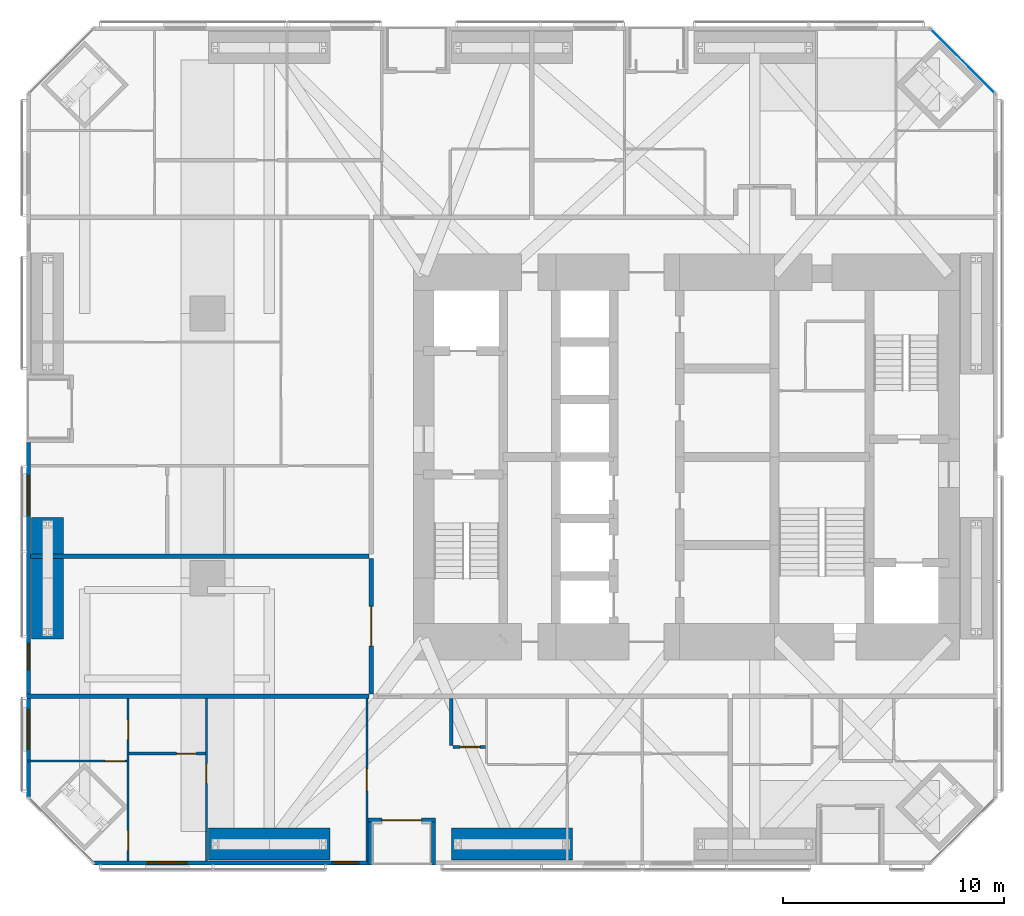
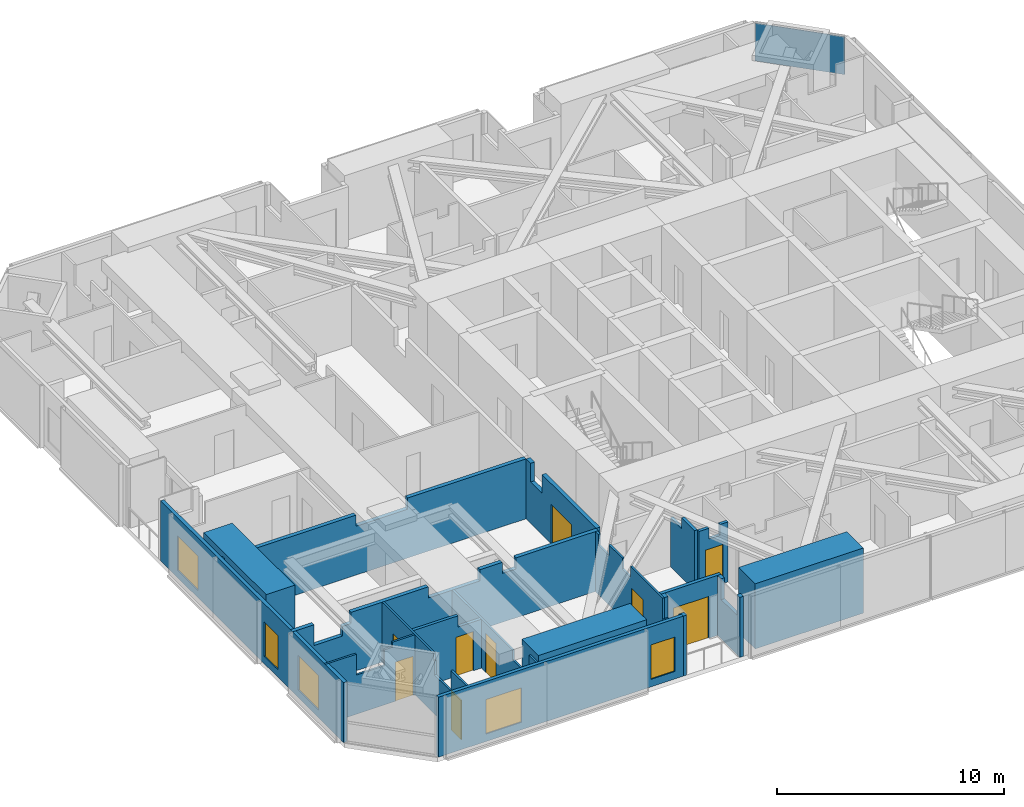
# One storey, part 15 of 22: 19 walls, 9 doors, 5 windows, 1 plate, 14 openings, 1 element without a shape of its own.
"""IFC4 building model written with IfcOpenShell, lengths in metres."""

from ifc_helpers import new_model, si_unit, direction, frame, frame_2d, origin, origin_2d, place, context, subcontext, project, spatial, polyline, rectangle, outline, extrude, material, layer, layer_set, constituent, constituent_set, type_object, element, fill, aggregate, save


model = new_model("IFC4")

# Units and contexts
model_context = context("Model", 3, precision=1e-05, world=origin(), true_north=direction((0.0, 1.0)))
body_context = subcontext(model_context, "Body", "Model", "MODEL_VIEW")
ifc_project = project(units=[si_unit("LENGTHUNIT", "METRE"), si_unit("AREAUNIT", "SQUARE_METRE"), si_unit("VOLUMEUNIT", "CUBIC_METRE"), si_unit("PLANEANGLEUNIT", "RADIAN"), si_unit("MASSUNIT", "GRAM", prefix="KILO")], contexts=[model_context])

# Site, building, storey
site_placement = place(None, origin())
site = spatial("IfcSite", under=ifc_project, at=site_placement, CompositionType="ELEMENT")
building_placement = place(site_placement, origin())
building = spatial("IfcBuilding", under=site, at=building_placement, Name="Jalousie Tower", CompositionType="ELEMENT")
storey_placement = place(building_placement, frame((0.0, 0.0, 71.25)))
storey = spatial("IfcBuildingStorey", under=building, at=storey_placement, Name="L19", CompositionType="ELEMENT", Elevation=71.25)

# Curtain wall, plate
ifc_material_1 = material(Name="Aluminium curtain wall", Category="aluminium")
curtain_wall_type = type_object("IfcCurtainWallType", Name="CORNER WINDOW WALL", PredefinedType="USERDEFINED", material=ifc_material_1)
curtain_wall_placement = place(storey_placement, origin())
curtain_wall = element("IfcCurtainWall", 1, at=curtain_wall_placement, inside=storey, type_object=curtain_wall_type, Name="Corner Window Wall L19 4", ObjectType="CORNER WINDOW WALL", PredefinedType="USERDEFINED")
ifc_material_2 = material(Name="Laminated impact-rated spandrel glass", Category="glass")
ifc_layer_1 = layer(ifc_material_2, 0.028076171875)
ifc_layer_set_1 = layer_set([ifc_layer_1], Name="Laminated impact-rated spandrel glass")
plate_type = type_object("IfcPlateType", Name="CORNER WINDOW WALL PANEL", PredefinedType="CURTAIN_PANEL", material=ifc_layer_set_1)
plate_placement = place(storey_placement, frame((44.4306640625, 36.4306640625, 1.1298828125), z_axis=(0.0, 0.0, 1.0), x_axis=(-0.707106781187, 0.707106781187, 0.0)))
plate = element("IfcPlate", 2, at=plate_placement, type_object=plate_type, Name="CW-C panel 1.2", PredefinedType="CURTAIN_PANEL", context=body_context, shape_type="SweptSolid", body=[
    extrude(rectangle(XDim=4.071533203125, YDim=0.028076171875, at=origin_2d()), origin(), (0.0, 0.0, 1.0), 2.030029296875),
])
aggregate(curtain_wall, [plate])

# Wall, opening, door
ifc_material_3 = material(Name="Concrete block ASTM C90", Category="concrete")
ifc_constituent_1 = constituent(ifc_material_3, Name="Body")
ifc_material_4 = material(Name="Render")
ifc_constituent_2 = constituent(ifc_material_4, Name="Finish")
ifc_constituent_set_1 = constituent_set(constituents=[ifc_constituent_1, ifc_constituent_2])
wall_type_1 = type_object("IfcWallType", Name="BATHROOM WALL 150", PredefinedType="PLUMBINGWALL", material=ifc_constituent_set_1)
wall_1_placement = place(storey_placement, frame((6.64990234375, 5.050048828125, 0.0), z_axis=(0.0, 0.0, 1.0), x_axis=(1.0, 0.0, 0.0)))
wall_1 = element("IfcWall", 3, at=wall_1_placement, inside=storey, type_object=wall_type_1, Name="Bathroom Wall 150 L19", PredefinedType="PLUMBINGWALL", context=body_context, shape_type="SweptSolid", body=[
    extrude(outline(polyline([(0.0, 0.0), (3.4501953125, 0.0), (3.449951171875, 3.219970703125), (3.449951171875, 2.6201171875), (2.264892578125, 2.6201171875), (2.264892578125, 3.219970703125), (0.0, 3.219970703125), (0.0, 0.0)])), frame((0.0, 0.074951171875, 0.0), z_axis=(0.0, -1.0, 0.0), x_axis=(1.0, 0.0, 0.0)), (0.0, 0.0, 1.0), 0.14990234375),
])
opening_1_placement = place(wall_1_placement, frame((2.14990234375, 0.0, 0.0)))
opening_1 = element("IfcOpeningElement", 4, at=opening_1_placement, cuts=wall_1, Name="Opening D3", PredefinedType="OPENING", context=body_context, shape_type="SweptSolid", body=[
    extrude(rectangle(XDim=0.89990234375, YDim=2.10009765625, at=frame_2d((0.449951171875, 1.050048828125))), frame((0.0, 0.0849609375, 0.0), z_axis=(0.0, -1.0, 0.0), x_axis=(1.0, 0.0, 0.0)), (0.0, 0.0, 1.0), 0.169921875),
])
ifc_material_5 = material(Name="Timber door", Category="wood")
door_type_1 = type_object("IfcDoorType", Name="BATHROOM DOOR 900", OperationType="SINGLE_SWING_LEFT", PredefinedType="DOOR", material=ifc_material_5)
door_1_placement = place(opening_1_placement, origin())
door_1 = element("IfcDoor", 5, at=door_1_placement, inside=storey, type_object=door_type_1, Name="Apartment 1901 bedroom 2 bathroom door", OperationType="SINGLE_SWING_RIGHT", OverallHeight=2.10009765625, OverallWidth=0.89990234375, PredefinedType="DOOR", context=body_context, shape_type="SweptSolid", body=[
    extrude(rectangle(XDim=0.89990234375, YDim=2.10009765625, at=frame_2d((0.449951171875, 1.050048828125))), frame((0.0, 0.02490234375, 0.0), z_axis=(0.0, -1.0, 0.0), x_axis=(1.0, 0.0, 0.0)), (0.0, 0.0, 1.0), 0.050048828125),
])
fill(opening_1, door_1)

wall_2_placement = place(storey_placement, frame((21.324951171875, 5.35009765625, 0.0), z_axis=(0.0, 0.0, 1.0), x_axis=(1.0, 0.0, 0.0)))
wall_2 = element("IfcWall", 6, at=wall_2_placement, inside=storey, type_object=wall_type_1, Name="Bathroom Wall 150 L19", PredefinedType="PLUMBINGWALL", context=body_context, shape_type="SweptSolid", body=[
    extrude(outline(polyline([(0.0, 0.0), (1.47509765625, 0.0), (1.47509765625, 3.219970703125), (1.072021484375, 3.219970703125), (1.072021484375, 2.640869140625), (0.4931640625, 2.640869140625), (0.4931640625, 3.219970703125), (0.0, 3.219970703125), (0.0, 0.0)])), frame((0.0, 0.074951171875, 0.0), z_axis=(0.0, -1.0, 0.0), x_axis=(1.0, 0.0, 0.0)), (0.0, 0.0, 1.0), 0.14990234375),
])
opening_2_placement = place(wall_2_placement, frame((0.324951171875, 0.0, 0.0)))
opening_2 = element("IfcOpeningElement", 7, at=opening_2_placement, cuts=wall_2, Name="Opening D7", PredefinedType="OPENING", context=body_context, shape_type="SweptSolid", body=[
    extrude(rectangle(XDim=0.89990234375, YDim=2.10009765625, at=frame_2d((0.449951171875, 1.050048828125))), frame((0.0, 0.0849609375, 0.0), z_axis=(0.0, -1.0, 0.0), x_axis=(1.0, 0.0, 0.0)), (0.0, 0.0, 1.0), 0.169921875),
])
ifc_material_6 = material(Name="Timber door", Category="wood")
door_type_2 = type_object("IfcDoorType", Name="INTERNAL DOOR 900", OperationType="SINGLE_SWING_LEFT", PredefinedType="DOOR", material=ifc_material_6)
door_2_placement = place(opening_2_placement, origin())
door_2 = element("IfcDoor", 8, at=door_2_placement, inside=storey, type_object=door_type_2, Name="Apartment 1901 guest WC door", OperationType="SINGLE_SWING_RIGHT", OverallHeight=2.10009765625, OverallWidth=0.89990234375, PredefinedType="DOOR", context=body_context, shape_type="SweptSolid", body=[
    extrude(rectangle(XDim=0.89990234375, YDim=2.10009765625, at=frame_2d((0.449951171875, 1.050048828125))), frame((0.0, 0.02490234375, 0.0), z_axis=(0.0, -1.0, 0.0), x_axis=(1.0, 0.0, 0.0)), (0.0, 0.0, 1.0), 0.050048828125),
])
fill(opening_2, door_2)

# Wall
wall_3_placement = place(storey_placement, frame((21.25, 5.425048828125, 0.0), z_axis=(0.0, 0.0, 1.0), x_axis=(0.0, 1.0, 0.0)))
element("IfcWall", 9, at=wall_3_placement, inside=storey, type_object=wall_type_1, Name="Bathroom Wall 150 L19", PredefinedType="PLUMBINGWALL", context=body_context, shape_type="SweptSolid", body=[
    extrude(outline(polyline([(0.0, 0.0), (2.125, 0.0), (2.125, 2.640869140625), (1.146484375, 2.640869140625), (1.146484375, 3.219970703125), (0.0, 3.219970703125), (0.0, 0.0)])), frame((0.0, 0.074951171875, 0.0), z_axis=(0.0, -1.0, 0.0), x_axis=(1.0, 0.0, 0.0)), (0.0, 0.0, 1.0), 0.14990234375),
])

# Wall, opening, door
ifc_material_7 = material(Name="Concrete block ASTM C90", Category="concrete")
ifc_constituent_3 = constituent(ifc_material_7, Name="Body")
ifc_material_8 = material(Name="Render")
ifc_constituent_4 = constituent(ifc_material_8, Name="Finish")
ifc_constituent_set_2 = constituent_set(constituents=[ifc_constituent_3, ifc_constituent_4])
wall_type_2 = type_object("IfcWallType", Name="CORRIDOR WALL 200", PredefinedType="PARTITIONING", material=ifc_constituent_set_2)
wall_4_placement = place(storey_placement, frame((17.625, 7.75, 0.0), z_axis=(0.0, 0.0, 1.0), x_axis=(0.0, 1.0, 0.0)))
wall_4 = element("IfcWall", 10, at=wall_4_placement, inside=storey, type_object=wall_type_2, Name="Corridor Wall 200 L19", PredefinedType="PARTITIONING", context=body_context, shape_type="SweptSolid", body=[
    extrude(outline(polyline([(0.0, 0.0), (6.14990234375, 0.0), (6.14990234375, 3.219970703125), (5.75, 3.219970703125), (5.75, 2.219970703125), (4.75, 2.219970703125), (4.75, 3.219970703125), (0.0, 3.219970703125), (0.0, 0.0)])), frame((0.0, 0.10009765625, 0.0), z_axis=(0.0, -1.0, 0.0), x_axis=(1.0, 0.0, 0.0)), (0.0, 0.0, 1.0), 0.199951171875),
])
opening_3_placement = place(wall_4_placement, frame((2.175048828125, 0.0, 0.0)))
opening_3 = element("IfcOpeningElement", 11, at=opening_3_placement, cuts=wall_4, Name="Opening D22", PredefinedType="OPENING", context=body_context, shape_type="SweptSolid", body=[
    extrude(rectangle(XDim=1.800048828125, YDim=2.10009765625, at=frame_2d((0.89990234375, 1.050048828125))), frame((0.0, 0.10986328125, 0.0), z_axis=(0.0, -1.0, 0.0), x_axis=(1.0, 0.0, 0.0)), (0.0, 0.0, 1.0), 0.219970703125),
])
ifc_material_9 = material(Name="Timber fire door", Category="wood")
door_type_3 = type_object("IfcDoorType", Name="CORRIDOR DOUBLE DOOR 1800", OperationType="DOUBLE_DOOR_SINGLE_SWING", PredefinedType="DOOR", material=ifc_material_9)
door_3_placement = place(opening_3_placement, origin())
door_3 = element("IfcDoor", 12, at=door_3_placement, inside=storey, type_object=door_type_3, Name="Residents' study door", OperationType="DOUBLE_DOOR_SINGLE_SWING", OverallHeight=2.10009765625, OverallWidth=1.800048828125, PredefinedType="DOOR", context=body_context, shape_type="SweptSolid", body=[
    extrude(rectangle(XDim=1.800048828125, YDim=2.10009765625, at=frame_2d((0.89990234375, 1.050048828125))), frame((0.0, 0.02490234375, 0.0), z_axis=(0.0, -1.0, 0.0), x_axis=(1.0, 0.0, 0.0)), (0.0, 0.0, 1.0), 0.050048828125),
])
fill(opening_3, door_3)

# Wall, openings, windows
ifc_material_10 = material(Name="Concrete f'c 40 MPa", Category="concrete")
ifc_constituent_5 = constituent(ifc_material_10, Name="Body")
ifc_material_11 = material(Name="Render, pastel coral")
ifc_constituent_6 = constituent(ifc_material_11, Name="Finish")
ifc_constituent_set_3 = constituent_set(constituents=[ifc_constituent_5, ifc_constituent_6])
wall_type_3 = type_object("IfcWallType", Name="EXTERNAL WALL 175 CORAL RENDER", PredefinedType="SOLIDWALL", material=ifc_constituent_set_3)
wall_5_placement = place(storey_placement, frame((5.05126953125, 0.08740234375, 0.0), z_axis=(0.0, 0.0, 1.0), x_axis=(1.0, 0.0, 0.0)))
wall_5 = element("IfcWall", 13, at=wall_5_placement, inside=storey, type_object=wall_type_3, Name="External Wall 175 Coral Render L19", PredefinedType="SOLIDWALL", context=body_context, shape_type="SweptSolid", body=[
    extrude(rectangle(XDim=12.423828125, YDim=0.175048828125, at=frame_2d((6.2119140625, 0.0))), origin(), (0.0, 0.0, 1.0), 3.219970703125),
])
opening_4_placement = place(wall_5_placement, frame((2.423583984375, 0.0, 0.39990234375)))
opening_4 = element("IfcOpeningElement", 14, at=opening_4_placement, cuts=wall_5, Name="Opening W-BED185", PredefinedType="OPENING", context=body_context, shape_type="SweptSolid", body=[
    extrude(rectangle(XDim=1.800048828125, YDim=1.85009765625, at=frame_2d((0.89990234375, 0.925048828125))), frame((0.0, 0.097412109375, 0.0), z_axis=(0.0, -1.0, 0.0), x_axis=(1.0, 0.0, 0.0)), (0.0, 0.0, 1.0), 0.195068359375),
])
opening_5_placement = place(wall_5_placement, frame((10.798583984375, 0.0, 0.39990234375)))
opening_5 = element("IfcOpeningElement", 15, at=opening_5_placement, cuts=wall_5, Name="Opening W-COR185", PredefinedType="OPENING", context=body_context, shape_type="SweptSolid", body=[
    extrude(rectangle(XDim=1.199951171875, YDim=1.85009765625, at=frame_2d((0.60009765625, 0.925048828125))), frame((0.0, 0.097412109375, 0.0), z_axis=(0.0, -1.0, 0.0), x_axis=(1.0, 0.0, 0.0)), (0.0, 0.0, 1.0), 0.195068359375),
])
ifc_material_12 = material(Name="Aluminium frame, impact-rated glazing", Category="aluminium")
window_type_1 = type_object("IfcWindowType", Name="WINDOW BED 1800x1850", PartitioningType="SINGLE_PANEL", PredefinedType="WINDOW", material=ifc_material_12)
window_1_placement = place(opening_4_placement, origin())
window_1 = element("IfcWindow", 16, at=window_1_placement, inside=storey, type_object=window_type_1, Name="Apartment 1901 bedroom 2 window", OverallHeight=1.85009765625, OverallWidth=1.800048828125, PartitioningType="SINGLE_PANEL", PredefinedType="WINDOW", context=body_context, shape_type="SweptSolid", body=[
    extrude(rectangle(XDim=1.800048828125, YDim=1.85009765625, at=frame_2d((0.89990234375, 0.925048828125))), frame((0.0, 0.030029296875, 0.0), z_axis=(0.0, -1.0, 0.0), x_axis=(1.0, 0.0, 0.0)), (0.0, 0.0, 1.0), 0.06005859375),
])
fill(opening_4, window_1)
ifc_material_13 = material(Name="Aluminium frame, impact-rated glazing", Category="aluminium")
window_type_2 = type_object("IfcWindowType", Name="WINDOW COR 1200x1850", PartitioningType="SINGLE_PANEL", PredefinedType="WINDOW", material=ifc_material_13)
window_2_placement = place(opening_5_placement, origin())
window_2 = element("IfcWindow", 17, at=window_2_placement, inside=storey, type_object=window_type_2, Name="Apartment 1901 dining room window", OverallHeight=1.85009765625, OverallWidth=1.199951171875, PartitioningType="SINGLE_PANEL", PredefinedType="WINDOW", context=body_context, shape_type="SweptSolid", body=[
    extrude(rectangle(XDim=1.199951171875, YDim=1.85009765625, at=frame_2d((0.60009765625, 0.925048828125))), frame((0.0, 0.030029296875, 0.0), z_axis=(0.0, -1.0, 0.0), x_axis=(1.0, 0.0, 0.0)), (0.0, 0.0, 1.0), 0.06005859375),
])
fill(opening_5, window_2)

# Wall, opening, door
wall_6_placement = place(storey_placement, frame((17.47509765625, 2.03759765625, 0.0), z_axis=(0.0, 0.0, 1.0), x_axis=(1.0, 0.0, 0.0)))
wall_6 = element("IfcWall", 18, at=wall_6_placement, inside=storey, type_object=wall_type_3, Name="External Wall 175 Coral Render L19", PredefinedType="SOLIDWALL", context=body_context, shape_type="SweptSolid", body=[
    extrude(rectangle(XDim=3.0498046875, YDim=0.175048828125, at=frame_2d((1.52490234375, 0.0))), origin(), (0.0, 0.0, 1.0), 3.219970703125),
])
opening_6_placement = place(wall_6_placement, frame((0.625, 0.0, 0.0)))
opening_6 = element("IfcOpeningElement", 19, at=opening_6_placement, cuts=wall_6, Name="Opening D-BAL22", PredefinedType="OPENING", context=body_context, shape_type="SweptSolid", body=[
    extrude(rectangle(XDim=1.800048828125, YDim=2.25, at=frame_2d((0.89990234375, 1.125))), frame((0.0, 0.097412109375, 0.0), z_axis=(0.0, -1.0, 0.0), x_axis=(1.0, 0.0, 0.0)), (0.0, 0.0, 1.0), 0.195068359375),
])
ifc_material_14 = material(Name="Aluminium frame, impact-rated glazing", Category="aluminium")
door_type_4 = type_object("IfcDoorType", Name="BALCONY DOOR 1800x2250", OperationType="SLIDING_TO_LEFT", PredefinedType="DOOR", material=ifc_material_14)
door_4_placement = place(opening_6_placement, origin())
door_4 = element("IfcDoor", 20, at=door_4_placement, inside=storey, type_object=door_type_4, Name="Apartment 1901 living room loggia door", OperationType="SLIDING_TO_LEFT", OverallHeight=2.25, OverallWidth=1.800048828125, PredefinedType="DOOR", context=body_context, shape_type="SweptSolid", body=[
    extrude(rectangle(XDim=1.800048828125, YDim=2.25, at=frame_2d((0.89990234375, 1.125))), frame((0.0, 0.02490234375, 0.0), z_axis=(0.0, -1.0, 0.0), x_axis=(1.0, 0.0, 0.0)), (0.0, 0.0, 1.0), 0.050048828125),
])
fill(opening_6, door_4)

# Walls
for number, where, z_axis, x_axis, name in (
    (21, (17.5625, 0.0, 0.0), (0.0, 0.0, 1.0), (0.0, 1.0, 0.0), "External Wall 175 Coral Render L19"),
    (22, (20.4375, 0.0, 0.0), (0.0, 0.0, 1.0), (0.0, 1.0, 0.0), "External Wall 175 Coral Render L19"),
):
    element("IfcWall", number, at=place(storey_placement, frame(where, z_axis=z_axis, x_axis=x_axis)), inside=storey, type_object=wall_type_3, Name=name, PredefinedType="SOLIDWALL", context=body_context, shape_type="SweptSolid", body=[
        extrude(outline(polyline([(0.0, 0.0), (1.949951171875, 0.0), (1.949951171875, 3.219970703125), (1.64990234375, 3.219970703125), (1.64990234375, 2.10009765625), (0.25, 2.10009765625), (0.25, 3.219970703125), (0.0, 3.219970703125), (0.0, 0.0)])), frame((0.0, 0.08740234375, 0.0), z_axis=(0.0, -1.0, 0.0), x_axis=(1.0, 0.0, 0.0)), (0.0, 0.0, 1.0), 0.175048828125),
    ])

# Wall, openings, windows
wall_7_placement = place(storey_placement, frame((2.08740234375, 19.14990234375, 0.0), z_axis=(0.0, 0.0, 1.0), x_axis=(0.0, -1.0, 0.0)))
wall_7 = element("IfcWall", 23, at=wall_7_placement, inside=storey, type_object=wall_type_3, Name="External Wall 175 Coral Render L19", PredefinedType="SOLIDWALL", context=body_context, shape_type="SweptSolid", body=[
    extrude(rectangle(XDim=16.0986328125, YDim=0.175048828125, at=frame_2d((8.04931640625, 0.0))), origin(), (0.0, 0.0, 1.0), 3.219970703125),
])
opening_7_placement = place(wall_7_placement, frame((1.487548828125, 0.0, 0.39990234375)))
opening_7 = element("IfcOpeningElement", 24, at=opening_7_placement, cuts=wall_7, Name="Opening W-BED185", PredefinedType="OPENING", context=body_context, shape_type="SweptSolid", body=[
    extrude(rectangle(XDim=1.800048828125, YDim=1.85009765625, at=frame_2d((0.89990234375, 0.925048828125))), frame((0.0, 0.097412109375, 0.0), z_axis=(0.0, -1.0, 0.0), x_axis=(1.0, 0.0, 0.0)), (0.0, 0.0, 1.0), 0.195068359375),
])
opening_8_placement = place(wall_7_placement, frame((9.106201171875, 0.0, 0.39990234375)))
opening_8 = element("IfcOpeningElement", 25, at=opening_8_placement, cuts=wall_7, Name="Opening W-COR185", PredefinedType="OPENING", context=body_context, shape_type="SweptSolid", body=[
    extrude(rectangle(XDim=1.199951171875, YDim=1.85009765625, at=frame_2d((0.60009765625, 0.925048828125))), frame((0.0, 0.097412109375, 0.0), z_axis=(0.0, -1.0, 0.0), x_axis=(1.0, 0.0, 0.0)), (0.0, 0.0, 1.0), 0.195068359375),
])
opening_9_placement = place(wall_7_placement, frame((12.094482421875, 0.0, 0.39990234375)))
opening_9 = element("IfcOpeningElement", 26, at=opening_9_placement, cuts=wall_7, Name="Opening W-BED185", PredefinedType="OPENING", context=body_context, shape_type="SweptSolid", body=[
    extrude(rectangle(XDim=1.800048828125, YDim=1.85009765625, at=frame_2d((0.89990234375, 0.925048828125))), frame((0.0, 0.097412109375, 0.0), z_axis=(0.0, -1.0, 0.0), x_axis=(1.0, 0.0, 0.0)), (0.0, 0.0, 1.0), 0.195068359375),
])
window_3_placement = place(opening_7_placement, origin())
window_3 = element("IfcWindow", 27, at=window_3_placement, inside=storey, type_object=window_type_1, Name="Apartment 1905 bedroom 1 window", OverallHeight=1.85009765625, OverallWidth=1.800048828125, PartitioningType="SINGLE_PANEL", PredefinedType="WINDOW", context=body_context, shape_type="SweptSolid", body=[
    extrude(rectangle(XDim=1.800048828125, YDim=1.85009765625, at=frame_2d((0.89990234375, 0.925048828125))), frame((0.0, 0.030029296875, 0.0), z_axis=(0.0, -1.0, 0.0), x_axis=(1.0, 0.0, 0.0)), (0.0, 0.0, 1.0), 0.06005859375),
])
fill(opening_7, window_3)
window_4_placement = place(opening_9_placement, origin())
window_4 = element("IfcWindow", 28, at=window_4_placement, inside=storey, type_object=window_type_1, Name="Apartment 1901 bedroom 1 window", OverallHeight=1.85009765625, OverallWidth=1.800048828125, PartitioningType="SINGLE_PANEL", PredefinedType="WINDOW", context=body_context, shape_type="SweptSolid", body=[
    extrude(rectangle(XDim=1.800048828125, YDim=1.85009765625, at=frame_2d((0.89990234375, 0.925048828125))), frame((0.0, 0.030029296875, 0.0), z_axis=(0.0, -1.0, 0.0), x_axis=(1.0, 0.0, 0.0)), (0.0, 0.0, 1.0), 0.06005859375),
])
fill(opening_9, window_4)
window_5_placement = place(opening_8_placement, origin())
window_5 = element("IfcWindow", 29, at=window_5_placement, inside=storey, type_object=window_type_2, Name="Residents' study window", OverallHeight=1.85009765625, OverallWidth=1.199951171875, PartitioningType="SINGLE_PANEL", PredefinedType="WINDOW", context=body_context, shape_type="SweptSolid", body=[
    extrude(rectangle(XDim=1.199951171875, YDim=1.85009765625, at=frame_2d((0.60009765625, 0.925048828125))), frame((0.0, 0.030029296875, 0.0), z_axis=(0.0, -1.0, 0.0), x_axis=(1.0, 0.0, 0.0)), (0.0, 0.0, 1.0), 0.06005859375),
])
fill(opening_8, window_5)

# Wall, openings, doors
ifc_material_15 = material(Name="Gypsum board", Category="gypsum")
ifc_constituent_7 = constituent(ifc_material_15, Name="Body")
ifc_material_16 = material(Name="Light-gauge steel studs ASTM A653 SS Grade 33", Category="steel")
ifc_constituent_8 = constituent(ifc_material_16, Name="Framing")
ifc_constituent_set_4 = constituent_set(constituents=[ifc_constituent_7, ifc_constituent_8])
wall_type_4 = type_object("IfcWallType", Name="PARTITION 100", PredefinedType="PARTITIONING", material=ifc_constituent_set_4)
wall_8_placement = place(storey_placement, frame((6.60009765625, 0.175048828125, 0.0), z_axis=(0.0, 0.0, 1.0), x_axis=(0.0, 1.0, 0.0)))
wall_8 = element("IfcWall", 30, at=wall_8_placement, inside=storey, type_object=wall_type_4, Name="Partition 100 L19", PredefinedType="PARTITIONING", context=body_context, shape_type="SweptSolid", body=[
    extrude(outline(polyline([(0.0, 0.0), (7.375, 0.0), (7.375, 3.219970703125), (2.862548828125, 3.219970703125), (2.862548828125, 2.84814453125), (2.784912109375, 2.853759765625), (2.784912109375, 2.10009765625), (1.3369140625, 2.10009765625), (1.3369140625, 3.219970703125), (0.0, 3.219970703125), (0.0, 0.0)])), frame((0.0, 0.050048828125, 0.0), z_axis=(0.0, -1.0, 0.0), x_axis=(1.0, 0.0, 0.0)), (0.0, 0.0, 1.0), 0.10009765625),
])
opening_10_placement = place(wall_8_placement, frame((0.486328125, 0.0, 0.0)))
opening_10 = element("IfcOpeningElement", 31, at=opening_10_placement, cuts=wall_8, Name="Opening D2", PredefinedType="OPENING", context=body_context, shape_type="SweptSolid", body=[
    extrude(rectangle(XDim=0.89990234375, YDim=2.10009765625, at=frame_2d((0.449951171875, 1.050048828125))), frame((0.0, 0.06005859375, 0.0), z_axis=(0.0, -1.0, 0.0), x_axis=(1.0, 0.0, 0.0)), (0.0, 0.0, 1.0), 0.1201171875),
])
opening_11_placement = place(wall_8_placement, frame((5.505615234375, 0.0, 0.0)))
opening_11 = element("IfcOpeningElement", 32, at=opening_11_placement, cuts=wall_8, Name="Opening D3", PredefinedType="OPENING", context=body_context, shape_type="SweptSolid", body=[
    extrude(rectangle(XDim=0.89990234375, YDim=2.10009765625, at=frame_2d((0.449951171875, 1.050048828125))), frame((0.0, 0.06005859375, 0.0), z_axis=(0.0, -1.0, 0.0), x_axis=(1.0, 0.0, 0.0)), (0.0, 0.0, 1.0), 0.1201171875),
])
door_5_placement = place(opening_11_placement, frame((0.89990234375, 0.0, 0.0), z_axis=(0.0, 0.0, 1.0), x_axis=(-1.0, 0.0, 0.0)))
door_5 = element("IfcDoor", 33, at=door_5_placement, inside=storey, type_object=door_type_1, Name="Apartment 1901 bedroom 1 bathroom door", OperationType="SINGLE_SWING_RIGHT", OverallHeight=2.10009765625, OverallWidth=0.89990234375, PredefinedType="DOOR", context=body_context, shape_type="SweptSolid", body=[
    extrude(rectangle(XDim=0.89990234375, YDim=2.10009765625, at=frame_2d((0.449951171875, 1.050048828125))), frame((0.0, 0.02490234375, 0.0), z_axis=(0.0, -1.0, 0.0), x_axis=(1.0, 0.0, 0.0)), (0.0, 0.0, 1.0), 0.050048828125),
])
fill(opening_11, door_5)
ifc_material_17 = material(Name="Timber door", Category="wood")
door_type_5 = type_object("IfcDoorType", Name="BEDROOM DOOR 900", OperationType="SINGLE_SWING_LEFT", PredefinedType="DOOR", material=ifc_material_17)
door_6_placement = place(opening_10_placement, frame((0.89990234375, 0.0, 0.0), z_axis=(0.0, 0.0, 1.0), x_axis=(-1.0, 0.0, 0.0)))
door_6 = element("IfcDoor", 34, at=door_6_placement, inside=storey, type_object=door_type_5, Name="Apartment 1901 bedroom 1 door", OperationType="SINGLE_SWING_RIGHT", OverallHeight=2.10009765625, OverallWidth=0.89990234375, PredefinedType="DOOR", context=body_context, shape_type="SweptSolid", body=[
    extrude(rectangle(XDim=0.89990234375, YDim=2.10009765625, at=frame_2d((0.449951171875, 1.050048828125))), frame((0.0, 0.02490234375, 0.0), z_axis=(0.0, -1.0, 0.0), x_axis=(1.0, 0.0, 0.0)), (0.0, 0.0, 1.0), 0.050048828125),
])
fill(opening_10, door_6)

# Wall
wall_9_placement = place(storey_placement, frame((10.14990234375, 0.175048828125, 0.0), z_axis=(0.0, 0.0, 1.0), x_axis=(0.0, 1.0, 0.0)))
element("IfcWall", 35, at=wall_9_placement, inside=storey, type_object=wall_type_4, Name="Partition 100 L19-A", PredefinedType="PARTITIONING", context=body_context, shape_type="SweptSolid", body=[
    extrude(outline(polyline([(0.0, 0.0), (1.337646484375, 0.0), (1.337646484375, 2.10009765625), (0.62353515625, 2.10009765625), (0.62353515625, 3.219970703125), (0.0, 3.219970703125), (0.0, 0.0)])), frame((0.0, 0.050048828125, 0.0), z_axis=(0.0, -1.0, 0.0), x_axis=(1.0, 0.0, 0.0)), (0.0, 0.0, 1.0), 0.10009765625),
])

# Wall, opening, door
wall_10_placement = place(storey_placement, frame((10.14990234375, 1.5126953125, 0.0), z_axis=(0.0, 0.0, 1.0), x_axis=(0.0, 1.0, 0.0)))
wall_10 = element("IfcWall", 36, at=wall_10_placement, inside=storey, type_object=wall_type_4, Name="Partition 100 L19-B", PredefinedType="PARTITIONING", context=body_context, shape_type="SweptSolid", body=[
    extrude(outline(polyline([(0.0, 0.0), (6.037353515625, 0.0), (6.037353515625, 2.6201171875), (0.734130859375, 2.6201171875), (0.734130859375, 2.10009765625), (0.0, 2.10009765625), (0.0, 0.0)])), frame((0.0, 0.050048828125, 0.0), z_axis=(0.0, -1.0, 0.0), x_axis=(1.0, 0.0, 0.0)), (0.0, 0.0, 1.0), 0.10009765625),
])
opening_12_placement = place(wall_10_placement, frame((2.1875, 0.0, 0.0)))
opening_12 = element("IfcOpeningElement", 37, at=opening_12_placement, cuts=wall_10, Name="Opening D2", PredefinedType="OPENING", context=body_context, shape_type="SweptSolid", body=[
    extrude(rectangle(XDim=0.89990234375, YDim=2.10009765625, at=frame_2d((0.449951171875, 1.050048828125))), frame((0.0, 0.06005859375, 0.0), z_axis=(0.0, -1.0, 0.0), x_axis=(1.0, 0.0, 0.0)), (0.0, 0.0, 1.0), 0.1201171875),
])
door_7_placement = place(opening_12_placement, origin())
door_7 = element("IfcDoor", 38, at=door_7_placement, inside=storey, type_object=door_type_5, Name="Apartment 1901 bedroom 2 door", OperationType="SINGLE_SWING_RIGHT", OverallHeight=2.10009765625, OverallWidth=0.89990234375, PredefinedType="DOOR", context=body_context, shape_type="SweptSolid", body=[
    extrude(rectangle(XDim=0.89990234375, YDim=2.10009765625, at=frame_2d((0.449951171875, 1.050048828125))), frame((0.0, 0.02490234375, 0.0), z_axis=(0.0, -1.0, 0.0), x_axis=(1.0, 0.0, 0.0)), (0.0, 0.0, 1.0), 0.050048828125),
])
fill(opening_12, door_7)

wall_11_placement = place(storey_placement, frame((2.0, 4.711181640625, 0.0), z_axis=(0.0, 0.0, 1.0), x_axis=(1.0, 0.0, 0.0)))
wall_11 = element("IfcWall", 39, at=wall_11_placement, inside=storey, type_object=wall_type_4, Name="Partition 100 L19", PredefinedType="PARTITIONING", context=body_context, shape_type="SweptSolid", body=[
    extrude(outline(polyline([(0.0, 0.0), (4.550048828125, 0.0), (4.550048828125, 3.219970703125), (3.4072265625, 3.219970703125), (3.4072265625, 3.010009765625), (3.403564453125, 2.954833984375), (3.011474609375, 2.949462890625), (3.011474609375, 2.10009765625), (1.576904296875, 2.10009765625), (1.576904296875, 3.219970703125), (0.0, 3.219970703125), (0.0, 0.0)])), frame((0.0, 0.050048828125, 0.0), z_axis=(0.0, -1.0, 0.0), x_axis=(1.0, 0.0, 0.0)), (0.0, 0.0, 1.0), 0.10009765625),
])
opening_13_placement = place(wall_11_placement, frame((3.550048828125, 0.0, 0.0)))
opening_13 = element("IfcOpeningElement", 40, at=opening_13_placement, cuts=wall_11, Name="Opening D7", PredefinedType="OPENING", context=body_context, shape_type="SweptSolid", body=[
    extrude(rectangle(XDim=0.89990234375, YDim=2.10009765625, at=frame_2d((0.449951171875, 1.050048828125))), frame((0.0, 0.06005859375, 0.0), z_axis=(0.0, -1.0, 0.0), x_axis=(1.0, 0.0, 0.0)), (0.0, 0.0, 1.0), 0.1201171875),
])
door_8_placement = place(opening_13_placement, origin())
door_8 = element("IfcDoor", 41, at=door_8_placement, inside=storey, type_object=door_type_2, Name="Apartment 1901 bedroom 1 dressing hall door", OperationType="SINGLE_SWING_RIGHT", OverallHeight=2.10009765625, OverallWidth=0.89990234375, PredefinedType="DOOR", context=body_context, shape_type="SweptSolid", body=[
    extrude(rectangle(XDim=0.89990234375, YDim=2.10009765625, at=frame_2d((0.449951171875, 1.050048828125))), frame((0.0, 0.02490234375, 0.0), z_axis=(0.0, -1.0, 0.0), x_axis=(1.0, 0.0, 0.0)), (0.0, 0.0, 1.0), 0.050048828125),
])
fill(opening_13, door_8)

wall_12_placement = place(storey_placement, frame((17.425048828125, 0.175048828125, 0.0), z_axis=(0.0, 0.0, 1.0), x_axis=(0.0, 1.0, 0.0)))
wall_12 = element("IfcWall", 42, at=wall_12_placement, inside=storey, type_object=wall_type_4, Name="Partition 100 L19", PredefinedType="PARTITIONING", context=body_context, shape_type="SweptSolid", body=[
    extrude(outline(polyline([(0.0, 0.0), (7.375, 0.0), (7.375, 3.219970703125), (7.113037109375, 3.219970703125), (7.113037109375, 2.640869140625), (6.194580078125, 2.640869140625), (6.194580078125, 3.219970703125), (5.015380859375, 3.219970703125), (5.015380859375, 2.640869140625), (4.29931640625, 2.640869140625), (4.29931640625, 3.219970703125), (1.47509765625, 3.219970703125), (1.47509765625, 2.10009765625), (0.074951171875, 2.10009765625), (0.074951171875, 3.219970703125), (0.0, 3.219970703125), (0.0, 0.0)])), frame((0.0, 0.050048828125, 0.0), z_axis=(0.0, -1.0, 0.0), x_axis=(1.0, 0.0, 0.0)), (0.0, 0.0, 1.0), 0.10009765625),
])
opening_14_placement = place(wall_12_placement, frame((3.1875, 0.0, 0.0)))
opening_14 = element("IfcOpeningElement", 43, at=opening_14_placement, cuts=wall_12, Name="Opening D6", PredefinedType="OPENING", context=body_context, shape_type="SweptSolid", body=[
    extrude(rectangle(XDim=1.0, YDim=2.10009765625, at=frame_2d((0.5, 1.050048828125))), frame((0.0, 0.06005859375, 0.0), z_axis=(0.0, -1.0, 0.0), x_axis=(1.0, 0.0, 0.0)), (0.0, 0.0, 1.0), 0.1201171875),
])
ifc_material_18 = material(Name="Timber door", Category="wood")
door_type_6 = type_object("IfcDoorType", Name="INTERNAL DOOR 1000", OperationType="SINGLE_SWING_LEFT", PredefinedType="DOOR", material=ifc_material_18)
door_9_placement = place(opening_14_placement, origin())
door_9 = element("IfcDoor", 44, at=door_9_placement, inside=storey, type_object=door_type_6, Name="Apartment 1901 dining room door", OperationType="SINGLE_SWING_LEFT", OverallHeight=2.10009765625, OverallWidth=1.0, PredefinedType="DOOR", context=body_context, shape_type="SweptSolid", body=[
    extrude(rectangle(XDim=1.0, YDim=2.10009765625, at=frame_2d((0.5, 1.050048828125))), frame((0.0, 0.02490234375, 0.0), z_axis=(0.0, -1.0, 0.0), x_axis=(1.0, 0.0, 0.0)), (0.0, 0.0, 1.0), 0.050048828125),
])
fill(opening_14, door_9)

# Walls
ifc_material_19 = material(Name="Concrete block ASTM C90", Category="concrete")
ifc_constituent_9 = constituent(ifc_material_19, Name="Body")
ifc_material_20 = material(Name="Render")
ifc_constituent_10 = constituent(ifc_material_20, Name="Finish")
ifc_constituent_set_5 = constituent_set(constituents=[ifc_constituent_9, ifc_constituent_10])
wall_type_5 = type_object("IfcWallType", Name="PARTY WALL 200", PredefinedType="PARTITIONING", material=ifc_constituent_set_5)
wall_13_placement = place(storey_placement, frame((2.0, 7.64990234375, 0.0), z_axis=(0.0, 0.0, 1.0), x_axis=(1.0, 0.0, 0.0)))
element("IfcWall", 45, at=wall_13_placement, inside=storey, type_object=wall_type_5, Name="Party Wall 200 L19", PredefinedType="PARTITIONING", context=body_context, shape_type="SweptSolid", body=[
    extrude(outline(polyline([(0.0, 0.0), (15.52490234375, 0.0), (15.52490234375, 3.219970703125), (11.3486328125, 3.219970703125), (11.3486328125, 2.62060546875), (10.6513671875, 2.62060546875), (10.6513671875, 3.219970703125), (9.510009765625, 3.219970703125), (9.510009765625, 2.6201171875), (6.889892578125, 2.6201171875), (6.889892578125, 3.219970703125), (2.980224609375, 3.219970703125), (2.980224609375, 2.62060546875), (2.54296875, 2.62060546875), (2.54296875, 2.10009765625), (1.09228515625, 2.10009765625), (1.09228515625, 3.219970703125), (0.0, 3.219970703125), (0.0, 0.0)])), frame((0.0, 0.10009765625, 0.0), z_axis=(0.0, -1.0, 0.0), x_axis=(1.0, 0.0, 0.0)), (0.0, 0.0, 1.0), 0.199951171875),
])
wall_14_placement = place(storey_placement, frame((2.175048828125, 14.0, 0.0), z_axis=(0.0, 0.0, 1.0), x_axis=(1.0, 0.0, 0.0)))
element("IfcWall", 46, at=wall_14_placement, inside=storey, type_object=wall_type_5, Name="Party Wall 200 L19", PredefinedType="PARTITIONING", context=body_context, shape_type="SweptSolid", body=[
    extrude(outline(polyline([(0.074951171875, 3.219970703125), (0.0, 3.219970703125), (0.0, 0.0), (0.52880859375, 0.0), (0.52880859375, 0.873046875), (1.021240234375, 0.873046875), (1.021240234375, 0.0), (15.35009765625, 0.0), (15.35009765625, 3.219970703125), (9.3349609375, 3.219970703125), (9.3349609375, 2.6201171875), (6.715087890625, 2.6201171875), (6.715087890625, 3.219970703125), (1.47509765625, 3.219970703125), (1.47509765625, 2.10009765625), (1.021240234375, 2.10009765625), (1.021240234375, 1.427001953125), (0.52880859375, 1.427001953125), (0.52880859375, 2.10009765625), (0.074951171875, 2.10009765625), (0.074951171875, 3.219970703125)])), frame((0.0, 0.10009765625, 0.0), z_axis=(0.0, -1.0, 0.0), x_axis=(1.0, 0.0, 0.0)), (0.0, 0.0, 1.0), 0.199951171875),
])
ifc_material_21 = material(Name="Concrete f'c 120 MPa", Category="concrete")
ifc_layer_2 = layer(ifc_material_21, 1.449951171875)
ifc_layer_set_2 = layer_set([ifc_layer_2], Name="Concrete f'c 120 MPa")
wall_type_6 = type_object("IfcWallType", Name="RC WALL PIER 1450", PredefinedType="SHEAR", material=ifc_layer_set_2)
for number, where, z_axis, x_axis, name in (
    (47, (10.25, 0.949951171875, 0.0), (0.0, 0.0, 1.0), (1.0, 0.0, 0.0), "Wall pier 02 L19"),
    (48, (21.25, 0.949951171875, 0.0), (0.0, 0.0, 1.0), (1.0, 0.0, 0.0), "Wall pier 03 L19"),
    (49, (2.949951171875, 10.25, 0.0), (0.0, 0.0, 1.0), (0.0, 1.0, 0.0), "Wall pier 14 L19"),
):
    element("IfcWall", number, at=place(storey_placement, frame(where, z_axis=z_axis, x_axis=x_axis)), inside=storey, type_object=wall_type_6, Name=name, PredefinedType="SHEAR", context=body_context, shape_type="SweptSolid", body=[
        extrude(rectangle(XDim=5.5, YDim=1.449951171875, at=frame_2d((2.75, 0.0))), origin(), (0.0, 0.0, 1.0), 3.5),
    ])

save(model, "model.ifc")
